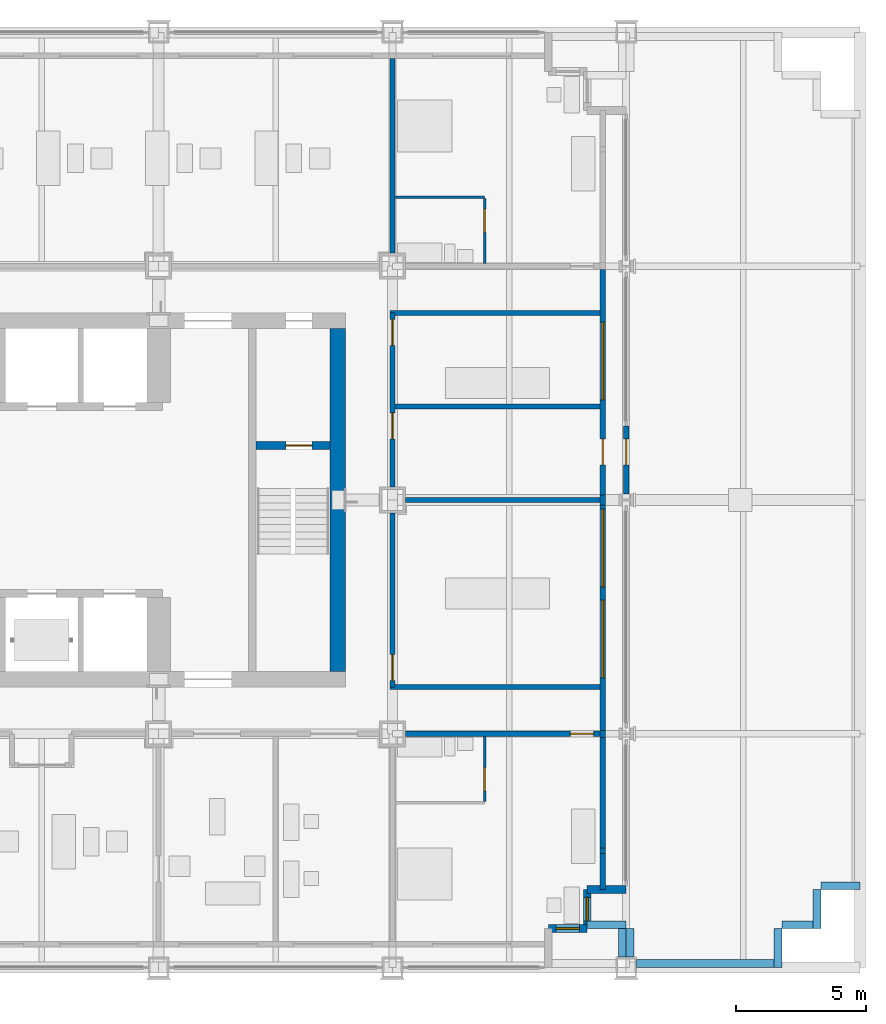
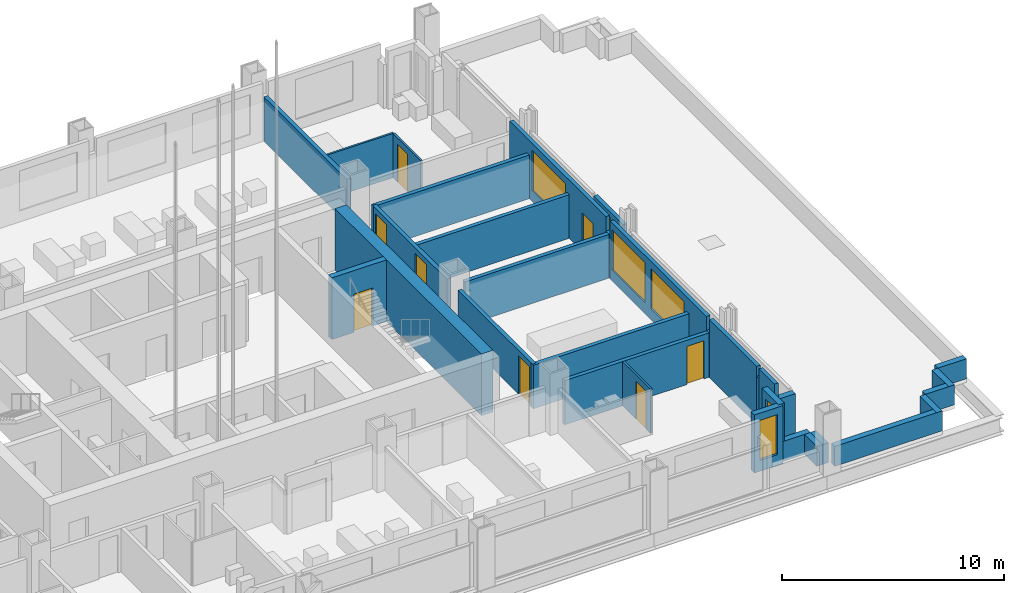
# One storey, part 13 of 19: 32 walls, 9 doors, 5 windows, 14 openings.
"""IFC4 building model written with IfcOpenShell, lengths in metres."""

import ifcopenshell
import ifcopenshell.guid

model = None  # the IFC model being written
_history = None  # IfcOwnerHistory: only IFC2X3 demands one
_inside = {}  # id of a spatial element -> (the spatial element, [elements in it])
_under = {}  # id of a project, library or spatial element -> (it, [spatial elements below it])
_declared = {}  # id of a project -> (the project, [libraries it declares])
_typed = {}  # id of a type object -> (the type object, [elements of that type])
_made_of = {}  # id of a material, layer set ... -> (it, [elements and type objects made of it])


def new_model(schema):
    """Start an empty IFC model of exactly this schema.

    Asked for "IFC4X3", IfcOpenShell would pick the latest addendum, in which some entities
    have other attributes; the version numbers below select the first issue.
    IFC2X3 requires an IfcOwnerHistory on every rooted entity: one is made here for all.
    """
    global model, _history
    if schema == "IFC4X3":
        model = ifcopenshell.file(schema_version=(4, 3, 0, 0))
    else:
        model = ifcopenshell.file(schema=schema)
    _inside.clear()
    _under.clear()
    _declared.clear()
    _typed.clear()
    _made_of.clear()
    _history = None
    if model.schema == "IFC2X3":
        org = make("IfcOrganization", Name="unknown")
        user = make(
            "IfcPersonAndOrganization",
            ThePerson=make("IfcPerson", FamilyName="unknown"),
            TheOrganization=org,
        )
        app = make(
            "IfcApplication",
            ApplicationDeveloper=org,
            Version="unknown",
            ApplicationFullName="unknown",
            ApplicationIdentifier="unknown",
        )
        _history = make(
            "IfcOwnerHistory",
            OwningUser=user,
            OwningApplication=app,
            ChangeAction="ADDED",
            CreationDate=0,
        )
    return model


def make(cls, **values):
    """One entity of the class cls with the attributes given. An attribute that is None is left unset."""
    return model.create_entity(
        cls, **{name: value for name, value in values.items() if value is not None}
    )


def rooted(cls, **values):
    """An entity with a GlobalId (a new one), such as an element, a storey or a relation."""
    return make(cls, GlobalId=ifcopenshell.guid.new(), OwnerHistory=_history, **values)


def si_unit(unit_type, name, prefix=None):
    """IfcSIUnit, for example si_unit("LENGTHUNIT", "METRE", prefix="MILLI")."""
    return make("IfcSIUnit", UnitType=unit_type, Prefix=prefix, Name=name)


def assignment(units):
    """IfcUnitAssignment: the units of a project."""
    return None if units is None else make("IfcUnitAssignment", Units=units)


def point(xyz):
    """IfcCartesianPoint."""
    return None if xyz is None else make("IfcCartesianPoint", Coordinates=xyz)


def direction(xyz):
    """IfcDirection."""
    return None if xyz is None else make("IfcDirection", DirectionRatios=xyz)


def frame(location, z_axis=None, x_axis=None):
    """IfcAxis2Placement3D, a coordinate frame: its origin and axes. An axis left out is left unset."""
    return make(
        "IfcAxis2Placement3D",
        Location=point(location),
        Axis=direction(z_axis),
        RefDirection=direction(x_axis),
    )


def frame_2d(location, x_axis=None):
    """IfcAxis2Placement2D, a coordinate frame in the plane: its origin and x axis."""
    return make(
        "IfcAxis2Placement2D", Location=point(location), RefDirection=direction(x_axis)
    )


def origin():
    """The frame at (0, 0, 0) with its axes left unset."""
    return frame((0.0, 0.0, 0.0))


def place(relative_to, where):
    """IfcLocalPlacement: puts the frame where relative to a parent placement (None: the world)."""
    return make(
        "IfcLocalPlacement", PlacementRelTo=relative_to, RelativePlacement=where
    )


def context(
    kind, dimensions, precision=None, world=None, true_north=None, identifier=None
):
    """IfcGeometricRepresentationContext, for example the 3D "Model" context."""
    return make(
        "IfcGeometricRepresentationContext",
        ContextIdentifier=identifier,
        ContextType=kind,
        CoordinateSpaceDimension=dimensions,
        Precision=precision,
        WorldCoordinateSystem=world,
        TrueNorth=true_north,
    )


def subcontext(parent, identifier, kind, view, scale=None):
    """IfcGeometricRepresentationSubContext, for example "Body" below "Model"."""
    return make(
        "IfcGeometricRepresentationSubContext",
        ContextIdentifier=identifier,
        ContextType=kind,
        ParentContext=parent,
        TargetScale=scale,
        TargetView=view,
    )


def project(units=None, contexts=None):
    """IfcProject with its units and contexts."""
    return rooted(
        "IfcProject",
        Name="project",
        RepresentationContexts=contexts,
        UnitsInContext=assignment(units),
    )


def spatial(cls, under=None, at=None, **own):
    """A site, building, storey or space (cls), placed at a placement, below another one or the project."""
    s = rooted(cls, ObjectPlacement=at, **own)
    if under is not None:
        _under.setdefault(under.id(), (under, []))[1].append(s)
    return s


def profile(cls, at=None, kind="AREA", **sizes):
    """A parametric profile (cls). Its sizes go by their IFC names, for example OverallWidth=200.0."""
    return make(cls, ProfileType=kind, Position=at, **sizes)


def rectangle(**sizes):
    """IfcRectangleProfileDef."""
    return profile("IfcRectangleProfileDef", **sizes)


def extrude(swept, where, along, depth):
    """IfcExtrudedAreaSolid: the profile swept, set in the frame where, extruded along a direction by depth."""
    return make(
        "IfcExtrudedAreaSolid",
        SweptArea=swept,
        Position=where,
        ExtrudedDirection=direction(along),
        Depth=depth,
    )


def shape(context_of_items, identifier, shape_type, items):
    """IfcShapeRepresentation: the items that make up one representation, for example the "Body"."""
    return make(
        "IfcShapeRepresentation",
        ContextOfItems=context_of_items,
        RepresentationIdentifier=identifier,
        RepresentationType=shape_type,
        Items=items,
    )


def material(Name=None, Category=None):
    """IfcMaterial."""
    return make("IfcMaterial", Name=Name, Category=Category)


def layer(
    of_material, thickness, ventilated=None, Name=None, Category=None, Priority=None
):
    """IfcMaterialLayer: one layer of a wall or slab, of a material (None: an air gap)."""
    return make(
        "IfcMaterialLayer",
        Material=of_material,
        LayerThickness=thickness,
        IsVentilated=ventilated,
        Name=Name,
        Category=Category,
        Priority=Priority,
    )


def layer_set(layers, Name=None):
    """IfcMaterialLayerSet."""
    return make("IfcMaterialLayerSet", MaterialLayers=layers, LayerSetName=Name)


def made_of(thing, what):
    """Note that an element or type object is made of a material, layer set ...; save() writes the relation."""
    if what is not None:
        _made_of.setdefault(what.id(), (what, []))[1].append(thing)
    return thing


def type_object(cls, material=None, **own):
    """A type object (cls), such as IfcWallType, which elements share."""
    return made_of(rooted(cls, **own), material)


def element(
    cls,
    number,
    at=None,
    inside=None,
    cuts=None,
    type_object=None,
    material=None,
    context=None,
    identifier="Body",
    shape_type=None,
    held_by="IfcProductDefinitionShape",
    body=None,
    shapes=None,
    **own,
):
    """One element of the class cls, such as IfcWall. Its Tag is "e" and its number.

    at: its placement. inside: the storey or other place that contains it. cuts: it is an
    opening in that element (IfcRelVoidsElement). A single representation is given by context,
    identifier, shape_type and body (its items); several are given by shapes. held_by: the class
    of the entity that holds the representations. save() writes the other relations.
    """
    e = rooted(cls, Tag="e%d" % number, ObjectPlacement=at, **own)
    if body is not None:
        shapes = [shape(context, identifier, shape_type, body)]
    if shapes is not None:
        e.Representation = make(held_by, Representations=shapes)
    if inside is not None:
        _inside.setdefault(inside.id(), (inside, []))[1].append(e)
    if cuts is not None:
        rooted(
            "IfcRelVoidsElement", RelatingBuildingElement=cuts, RelatedOpeningElement=e
        )
    if type_object is not None:
        _typed.setdefault(type_object.id(), (type_object, []))[1].append(e)
    return made_of(e, material)


def fill(opening, filler):
    """IfcRelFillsElement: the door or window that sits in an opening."""
    return rooted(
        "IfcRelFillsElement",
        RelatingOpeningElement=opening,
        RelatedBuildingElement=filler,
    )


def aggregate(whole, parts):
    """IfcRelAggregates: a whole, such as a stair, and the parts it consists of."""
    return rooted("IfcRelAggregates", RelatingObject=whole, RelatedObjects=parts)


def save(model, path):
    """Write the relations noted so far, then the file.

    IfcRelAggregates (storeys below a building ...), IfcRelContainedInSpatialStructure (elements
    in a storey), IfcRelDefinesByType, IfcRelAssociatesMaterial and IfcRelDeclares: one each for
    every whole, place, type object, material and project.
    """
    for whole, parts in _under.values():
        aggregate(whole, parts)
    for where, things in _inside.values():
        rooted(
            "IfcRelContainedInSpatialStructure",
            RelatedElements=things,
            RelatingStructure=where,
        )
    for kind, things in _typed.values():
        rooted("IfcRelDefinesByType", RelatedObjects=things, RelatingType=kind)
    for what, things in _made_of.values():
        rooted("IfcRelAssociatesMaterial", RelatedObjects=things, RelatingMaterial=what)
    for by, libraries in _declared.values():
        rooted("IfcRelDeclares", RelatingContext=by, RelatedDefinitions=libraries)
    model.write(path)


model = new_model("IFC4")

# Units and contexts
model_context = context("Model", 3, precision=1e-05, world=origin(), true_north=direction((0.0, 1.0)))
body_context = subcontext(model_context, "Body", "Model", "MODEL_VIEW")
ifc_project = project(units=[si_unit("LENGTHUNIT", "METRE"), si_unit("AREAUNIT", "SQUARE_METRE"), si_unit("VOLUMEUNIT", "CUBIC_METRE"), si_unit("PLANEANGLEUNIT", "RADIAN"), si_unit("MASSUNIT", "GRAM", prefix="KILO")], contexts=[model_context])

# Site, building, storey
site_placement = place(None, origin())
site = spatial("IfcSite", under=ifc_project, at=site_placement, CompositionType="ELEMENT")
building_placement = place(site_placement, origin())
building = spatial("IfcBuilding", under=site, at=building_placement, Name="Loomwork Tower", CompositionType="ELEMENT")
storey_placement = place(building_placement, frame((0.0, 0.0, 94.199951171875)))
storey = spatial("IfcBuildingStorey", under=building, at=storey_placement, Name="L24", CompositionType="ELEMENT", Elevation=94.199951171875)

# Wall, opening, door
ifc_material_1 = material(Name="Concrete 14000 psi (97 MPa)", Category="concrete")
ifc_layer_1 = layer(ifc_material_1, 0.300048828125)
ifc_layer_set_1 = layer_set([ifc_layer_1], Name="Core shear wall 300")
wall_type_1 = type_object("IfcWallType", Name="Core shear wall 300", PredefinedType="SHEAR", material=ifc_layer_set_1)
wall_1_placement = place(storey_placement, frame((30.75, 20.10009765625, 0.0), z_axis=(0.0, 0.0, 1.0), x_axis=(1.0, 0.0, 0.0)))
wall_1 = element("IfcWall", 1, at=wall_1_placement, inside=storey, type_object=wall_type_1, Name="Stair B north wall L24", PredefinedType="SHEAR", context=body_context, shape_type="SweptSolid", body=[
    extrude(rectangle(XDim=2.85009765625, YDim=0.300048828125, at=frame_2d((1.425048828125, 0.0))), origin(), (0.0, 0.0, 1.0), 3.400146484375),
])
opening_1_placement = place(wall_1_placement, frame((1.14990234375, 0.0, 0.0)))
opening_1 = element("IfcOpeningElement", 2, at=opening_1_placement, cuts=wall_1, Name="Opening D4", PredefinedType="OPENING", context=body_context, shape_type="SweptSolid", body=[
    extrude(rectangle(XDim=1.0, YDim=2.10009765625, at=frame_2d((0.5, 1.050048828125))), frame((0.0, 0.159912109375, 0.0), z_axis=(0.0, -1.0, 0.0), x_axis=(1.0, 0.0, 0.0)), (0.0, 0.0, 1.0), 0.320068359375),
])
ifc_material_2 = material(Name="Hollow metal door and frame")
door_type_1 = type_object("IfcDoorType", Name="Stair door 1000", OperationType="SINGLE_SWING_RIGHT", PredefinedType="DOOR", material=ifc_material_2)
door_1_placement = place(opening_1_placement, frame((1.0, 0.0, 0.0), z_axis=(0.0, 0.0, 1.0), x_axis=(-1.0, 0.0, 0.0)))
door_1 = element("IfcDoor", 3, at=door_1_placement, inside=storey, type_object=door_type_1, Name="Stair B door", OperationType="SINGLE_SWING_LEFT", OverallHeight=2.10009765625, OverallWidth=1.0, PredefinedType="DOOR", context=body_context, shape_type="SweptSolid", body=[
    extrude(rectangle(XDim=1.0, YDim=2.10009765625, at=frame_2d((0.5, 1.050048828125))), frame((0.0, 0.02490234375, 0.0), z_axis=(0.0, -1.0, 0.0), x_axis=(1.0, 0.0, 0.0)), (0.0, 0.0, 1.0), 0.050048828125),
])
fill(opening_1, door_1)

# Wall
ifc_material_3 = material(Name="Concrete 14000 psi (97 MPa)", Category="concrete")
ifc_layer_2 = layer(ifc_material_3, 0.60009765625)
ifc_layer_set_2 = layer_set([ifc_layer_2], Name="Core shear wall 600")
wall_type_2 = type_object("IfcWallType", Name="Core shear wall 600", PredefinedType="SHEAR", material=ifc_layer_set_2)
wall_2_placement = place(storey_placement, frame((33.89990234375, 11.39990234375, 0.0), z_axis=(0.0, 0.0, 1.0), x_axis=(0.0, 1.0, 0.0)))
element("IfcWall", 4, at=wall_2_placement, inside=storey, type_object=wall_type_2, Name="Core wall east L24", PredefinedType="SHEAR", context=body_context, shape_type="SweptSolid", body=[
    extrude(rectangle(XDim=13.2001953125, YDim=0.60009765625, at=frame_2d((6.60009765625, 0.0))), origin(), (0.0, 0.0, 1.0), 3.400146484375),
])

# Wall, opening, door
ifc_material_4 = material(Name="Gypsum board on steel studs, one-hour", Category="steel")
ifc_layer_3 = layer(ifc_material_4, 0.199951171875)
ifc_layer_set_3 = layer_set([ifc_layer_3], Name="Corridor wall 200")
wall_type_3 = type_object("IfcWallType", Name="Corridor wall 200", PredefinedType="PARTITIONING", material=ifc_layer_set_3)
wall_3_placement = place(storey_placement, frame((36.5, 9.0, 0.0), z_axis=(0.0, 0.0, 1.0), x_axis=(1.0, 0.0, 0.0)))
wall_3 = element("IfcWall", 5, at=wall_3_placement, inside=storey, type_object=wall_type_3, Name="South corridor wall 5", PredefinedType="PARTITIONING", context=body_context, shape_type="SweptSolid", body=[
    extrude(rectangle(XDim=7.5, YDim=0.199951171875, at=frame_2d((3.75, 0.0))), origin(), (0.0, 0.0, 1.0), 2.43798828125),
])
opening_2_placement = place(wall_3_placement, frame((6.35009765625, 0.0, 0.0)))
opening_2 = element("IfcOpeningElement", 6, at=opening_2_placement, cuts=wall_3, Name="Opening D1", PredefinedType="OPENING", context=body_context, shape_type="SweptSolid", body=[
    extrude(rectangle(XDim=0.89990234375, YDim=2.10009765625, at=frame_2d((0.449951171875, 1.050048828125))), frame((0.0, 0.10986328125, 0.0), z_axis=(0.0, -1.0, 0.0), x_axis=(1.0, 0.0, 0.0)), (0.0, 0.0, 1.0), 0.219970703125),
])
ifc_material_5 = material(Name="Hollow metal door and frame")
door_type_2 = type_object("IfcDoorType", Name="Guest room entry door 900", OperationType="SINGLE_SWING_LEFT", PredefinedType="DOOR", material=ifc_material_5)
door_2_placement = place(opening_2_placement, frame((0.89990234375, 0.0, 0.0), z_axis=(0.0, 0.0, 1.0), x_axis=(-1.0, 0.0, 0.0)))
door_2 = element("IfcDoor", 7, at=door_2_placement, inside=storey, type_object=door_type_2, Name="Guest room entry door L24 7", OperationType="SINGLE_SWING_LEFT", OverallHeight=2.10009765625, OverallWidth=0.89990234375, PredefinedType="DOOR", context=body_context, shape_type="SweptSolid", body=[
    extrude(rectangle(XDim=0.89990234375, YDim=2.10009765625, at=frame_2d((0.449951171875, 1.050048828125))), frame((0.0, 0.02490234375, 0.0), z_axis=(0.0, -1.0, 0.0), x_axis=(1.0, 0.0, 0.0)), (0.0, 0.0, 1.0), 0.050048828125),
])
fill(opening_2, door_2)

wall_4_placement = place(storey_placement, frame((36.0, 10.800048828125, 0.0), z_axis=(0.0, 0.0, 1.0), x_axis=(0.0, 1.0, 0.0)))
wall_4 = element("IfcWall", 8, at=wall_4_placement, inside=storey, type_object=wall_type_3, Name="East corridor wall 1", PredefinedType="PARTITIONING", context=body_context, shape_type="SweptSolid", body=[
    extrude(rectangle(XDim=6.699951171875, YDim=0.199951171875, at=frame_2d((3.35009765625, 0.0))), origin(), (0.0, 0.0, 1.0), 2.405029296875),
])
opening_3_placement = place(wall_4_placement, frame((0.25, 0.0, 0.0)))
opening_3 = element("IfcOpeningElement", 9, at=opening_3_placement, cuts=wall_4, Name="Opening D15", PredefinedType="OPENING", context=body_context, shape_type="SweptSolid", body=[
    extrude(rectangle(XDim=1.0, YDim=2.10009765625, at=frame_2d((0.5, 1.050048828125))), frame((0.0, 0.10986328125, 0.0), z_axis=(0.0, -1.0, 0.0), x_axis=(1.0, 0.0, 0.0)), (0.0, 0.0, 1.0), 0.219970703125),
])
ifc_material_6 = material(Name="Hollow metal door and frame")
door_type_3 = type_object("IfcDoorType", Name="Fire-rated room door 1000", OperationType="SINGLE_SWING_LEFT", PredefinedType="DOOR", material=ifc_material_6)
door_3_placement = place(opening_3_placement, frame((1.0, 0.0, 0.0), z_axis=(0.0, 0.0, 1.0), x_axis=(-1.0, 0.0, 0.0)))
door_3 = element("IfcDoor", 10, at=door_3_placement, inside=storey, type_object=door_type_3, Name="Meeting room door L24 13", OperationType="SINGLE_SWING_RIGHT", OverallHeight=2.10009765625, OverallWidth=1.0, PredefinedType="DOOR", context=body_context, shape_type="SweptSolid", body=[
    extrude(rectangle(XDim=1.0, YDim=2.10009765625, at=frame_2d((0.5, 1.050048828125))), frame((0.0, 0.02490234375, 0.0), z_axis=(0.0, -1.0, 0.0), x_axis=(1.0, 0.0, 0.0)), (0.0, 0.0, 1.0), 0.050048828125),
])
fill(opening_3, door_3)

# Wall, openings, doors
wall_5_placement = place(storey_placement, frame((36.0, 18.5, 0.0), z_axis=(0.0, 0.0, 1.0), x_axis=(0.0, 1.0, 0.0)))
wall_5 = element("IfcWall", 11, at=wall_5_placement, inside=storey, type_object=wall_type_3, Name="East corridor wall 2", PredefinedType="PARTITIONING", context=body_context, shape_type="SweptSolid", body=[
    extrude(rectangle(XDim=6.699951171875, YDim=0.199951171875, at=frame_2d((3.35009765625, 0.0))), origin(), (0.0, 0.0, 1.0), 2.405029296875),
])
opening_4_placement = place(wall_5_placement, frame((5.449951171875, 0.0, 0.0)))
opening_4 = element("IfcOpeningElement", 12, at=opening_4_placement, cuts=wall_5, Name="Opening D15", PredefinedType="OPENING", context=body_context, shape_type="SweptSolid", body=[
    extrude(rectangle(XDim=1.0, YDim=2.10009765625, at=frame_2d((0.5, 1.050048828125))), frame((0.0, 0.10986328125, 0.0), z_axis=(0.0, -1.0, 0.0), x_axis=(1.0, 0.0, 0.0)), (0.0, 0.0, 1.0), 0.219970703125),
])
opening_5_placement = place(wall_5_placement, frame((1.85009765625, 0.0, 0.0)))
opening_5 = element("IfcOpeningElement", 13, at=opening_5_placement, cuts=wall_5, Name="Opening D15", PredefinedType="OPENING", context=body_context, shape_type="SweptSolid", body=[
    extrude(rectangle(XDim=1.0, YDim=2.10009765625, at=frame_2d((0.5, 1.050048828125))), frame((0.0, 0.10986328125, 0.0), z_axis=(0.0, -1.0, 0.0), x_axis=(1.0, 0.0, 0.0)), (0.0, 0.0, 1.0), 0.219970703125),
])
door_4_placement = place(opening_4_placement, frame((1.0, 0.0, 0.0), z_axis=(0.0, 0.0, 1.0), x_axis=(-1.0, 0.0, 0.0)))
door_4 = element("IfcDoor", 14, at=door_4_placement, inside=storey, type_object=door_type_3, Name="Meeting room door L24 14", OperationType="SINGLE_SWING_LEFT", OverallHeight=2.10009765625, OverallWidth=1.0, PredefinedType="DOOR", context=body_context, shape_type="SweptSolid", body=[
    extrude(rectangle(XDim=1.0, YDim=2.10009765625, at=frame_2d((0.5, 1.050048828125))), frame((0.0, 0.02490234375, 0.0), z_axis=(0.0, -1.0, 0.0), x_axis=(1.0, 0.0, 0.0)), (0.0, 0.0, 1.0), 0.050048828125),
])
fill(opening_4, door_4)
door_5_placement = place(opening_5_placement, frame((1.0, 0.0, 0.0), z_axis=(0.0, 0.0, 1.0), x_axis=(-1.0, 0.0, 0.0)))
door_5 = element("IfcDoor", 15, at=door_5_placement, inside=storey, type_object=door_type_3, Name="Roof maintenance access door L24", OperationType="SINGLE_SWING_LEFT", OverallHeight=2.10009765625, OverallWidth=1.0, PredefinedType="DOOR", context=body_context, shape_type="SweptSolid", body=[
    extrude(rectangle(XDim=1.0, YDim=2.10009765625, at=frame_2d((0.5, 1.050048828125))), frame((0.0, 0.02490234375, 0.0), z_axis=(0.0, -1.0, 0.0), x_axis=(1.0, 0.0, 0.0)), (0.0, 0.0, 1.0), 0.050048828125),
])
fill(opening_5, door_5)

# Walls
for number, where, z_axis, x_axis, name in (
    (16, (35.89990234375, 10.800048828125, 0.0), (0.0, 0.0, 1.0), (1.0, 0.0, 0.0), "East band end wall S"),
    (17, (35.89990234375, 25.199951171875, 0.0), (0.0, 0.0, 1.0), (1.0, 0.0, 0.0), "East band end wall N"),
):
    element("IfcWall", number, at=place(storey_placement, frame(where, z_axis=z_axis, x_axis=x_axis)), inside=storey, type_object=wall_type_3, Name=name, PredefinedType="PARTITIONING", context=body_context, shape_type="SweptSolid", body=[
        extrude(rectangle(XDim=8.10009765625, YDim=0.199951171875, at=frame_2d((4.050048828125, 0.0))), origin(), (0.0, 0.0, 1.0), 2.404052734375),
    ])

# Wall, opening, door
ifc_material_7 = material(Name="Cement board on steel studs", Category="steel")
ifc_layer_4 = layer(ifc_material_7, 0.10009765625)
ifc_layer_set_4 = layer_set([ifc_layer_4], Name="En-suite partition 100")
wall_type_4 = type_object("IfcWallType", Name="En-suite partition 100", PredefinedType="PARTITIONING", material=ifc_layer_set_4)
wall_6_placement = place(storey_placement, frame((39.550048828125, 8.89990234375, 0.0), z_axis=(0.0, 0.0, 1.0), x_axis=(0.0, -1.0, 0.0)))
wall_6 = element("IfcWall", 18, at=wall_6_placement, inside=storey, type_object=wall_type_4, Name="En-suite side wall L24 room 7", PredefinedType="PARTITIONING", context=body_context, shape_type="SweptSolid", body=[
    extrude(rectangle(XDim=2.5, YDim=0.10009765625, at=frame_2d((1.25, 0.0))), origin(), (0.0, 0.0, 1.0), 2.43798828125),
])
opening_6_placement = place(wall_6_placement, frame((1.199951171875, 0.0, 0.0)))
opening_6 = element("IfcOpeningElement", 19, at=opening_6_placement, cuts=wall_6, Name="Opening D2", PredefinedType="OPENING", context=body_context, shape_type="SweptSolid", body=[
    extrude(rectangle(XDim=0.89990234375, YDim=2.10009765625, at=frame_2d((0.449951171875, 1.050048828125))), frame((0.0, 0.06005859375, 0.0), z_axis=(0.0, -1.0, 0.0), x_axis=(1.0, 0.0, 0.0)), (0.0, 0.0, 1.0), 0.1201171875),
])
ifc_material_8 = material(Name="Hollow metal door and frame")
door_type_4 = type_object("IfcDoorType", Name="En-suite door 900", OperationType="SINGLE_SWING_LEFT", PredefinedType="DOOR", material=ifc_material_8)
door_6_placement = place(opening_6_placement, frame((0.89990234375, 0.0, 0.0), z_axis=(0.0, 0.0, 1.0), x_axis=(-1.0, 0.0, 0.0)))
door_6 = element("IfcDoor", 20, at=door_6_placement, inside=storey, type_object=door_type_4, Name="En-suite door room 7", OperationType="SINGLE_SWING_LEFT", OverallHeight=2.10009765625, OverallWidth=0.89990234375, PredefinedType="DOOR", context=body_context, shape_type="SweptSolid", body=[
    extrude(rectangle(XDim=0.89990234375, YDim=2.10009765625, at=frame_2d((0.449951171875, 1.050048828125))), frame((0.0, 0.02490234375, 0.0), z_axis=(0.0, -1.0, 0.0), x_axis=(1.0, 0.0, 0.0)), (0.0, 0.0, 1.0), 0.050048828125),
])
fill(opening_6, door_6)

# Wall
wall_7_placement = place(storey_placement, frame((36.10009765625, 29.64990234375, 0.0), z_axis=(0.0, 0.0, 1.0), x_axis=(1.0, 0.0, 0.0)))
element("IfcWall", 21, at=wall_7_placement, inside=storey, type_object=wall_type_4, Name="En-suite wall L24 room 10", PredefinedType="PARTITIONING", context=body_context, shape_type="SweptSolid", body=[
    extrude(rectangle(XDim=3.449951171875, YDim=0.10009765625, at=frame_2d((1.72509765625, 0.0))), origin(), (0.0, 0.0, 1.0), 2.43798828125),
])

# Wall, opening, door
wall_8_placement = place(storey_placement, frame((39.550048828125, 27.10009765625, 0.0), z_axis=(0.0, 0.0, 1.0), x_axis=(0.0, 1.0, 0.0)))
wall_8 = element("IfcWall", 22, at=wall_8_placement, inside=storey, type_object=wall_type_4, Name="En-suite side wall L24 room 10", PredefinedType="PARTITIONING", context=body_context, shape_type="SweptSolid", body=[
    extrude(rectangle(XDim=2.5, YDim=0.10009765625, at=frame_2d((1.25, 0.0))), origin(), (0.0, 0.0, 1.0), 2.43798828125),
])
opening_7_placement = place(wall_8_placement, frame((1.199951171875, 0.0, 0.0)))
opening_7 = element("IfcOpeningElement", 23, at=opening_7_placement, cuts=wall_8, Name="Opening D2", PredefinedType="OPENING", context=body_context, shape_type="SweptSolid", body=[
    extrude(rectangle(XDim=0.89990234375, YDim=2.10009765625, at=frame_2d((0.449951171875, 1.050048828125))), frame((0.0, 0.06005859375, 0.0), z_axis=(0.0, -1.0, 0.0), x_axis=(1.0, 0.0, 0.0)), (0.0, 0.0, 1.0), 0.1201171875),
])
door_7_placement = place(opening_7_placement, origin())
door_7 = element("IfcDoor", 24, at=door_7_placement, inside=storey, type_object=door_type_4, Name="En-suite door room 10", OperationType="SINGLE_SWING_RIGHT", OverallHeight=2.10009765625, OverallWidth=0.89990234375, PredefinedType="DOOR", context=body_context, shape_type="SweptSolid", body=[
    extrude(rectangle(XDim=0.89990234375, YDim=2.10009765625, at=frame_2d((0.449951171875, 1.050048828125))), frame((0.0, 0.02490234375, 0.0), z_axis=(0.0, -1.0, 0.0), x_axis=(1.0, 0.0, 0.0)), (0.0, 0.0, 1.0), 0.050048828125),
])
fill(opening_7, door_7)

# Walls
ifc_material_9 = material(Name="Gypsum board on steel studs, acoustic", Category="steel")
ifc_layer_5 = layer(ifc_material_9, 0.199951171875)
ifc_layer_set_5 = layer_set([ifc_layer_5], Name="Guest room party wall 200")
wall_type_5 = type_object("IfcWallType", Name="Guest room party wall 200", PredefinedType="PARTITIONING", material=ifc_layer_set_5)
wall_9_placement = place(storey_placement, frame((36.0, 27.5, 0.0), z_axis=(0.0, 0.0, 1.0), x_axis=(0.0, 1.0, 0.0)))
element("IfcWall", 25, at=wall_9_placement, inside=storey, type_object=wall_type_5, Name="Guest room party wall N 36", PredefinedType="PARTITIONING", context=body_context, shape_type="SweptSolid", body=[
    extrude(rectangle(XDim=7.5, YDim=0.199951171875, at=frame_2d((3.75, 0.0))), origin(), (0.0, 0.0, 1.0), 2.43798828125),
])
wall_10_placement = place(storey_placement, frame((36.5, 18.0, 0.0), z_axis=(0.0, 0.0, 1.0), x_axis=(1.0, 0.0, 0.0)))
element("IfcWall", 26, at=wall_10_placement, inside=storey, type_object=wall_type_5, Name="Guest room party wall E 18", PredefinedType="PARTITIONING", context=body_context, shape_type="SweptSolid", body=[
    extrude(rectangle(XDim=7.5, YDim=0.199951171875, at=frame_2d((3.75, 0.0))), origin(), (0.0, 0.0, 1.0), 2.405029296875),
])
wall_11_placement = place(storey_placement, frame((36.10009765625, 21.60009765625, 0.0), z_axis=(0.0, 0.0, 1.0), x_axis=(1.0, 0.0, 0.0)))
element("IfcWall", 27, at=wall_11_placement, inside=storey, type_object=wall_type_5, Name="Roof maintenance access wall", PredefinedType="PARTITIONING", context=body_context, shape_type="SweptSolid", body=[
    extrude(rectangle(XDim=7.89990234375, YDim=0.199951171875, at=frame_2d((3.949951171875, 0.0))), origin(), (0.0, 0.0, 1.0), 2.404052734375),
])
ifc_material_10 = material(Name="Insulated steel stud wall with gypsum lining", Category="steel")
ifc_layer_6 = layer(ifc_material_10, 0.199951171875)
ifc_layer_set_6 = layer_set([ifc_layer_6], Name="Inner skin wall 200")
wall_type_6 = type_object("IfcWallType", Name="Inner skin wall 200", PredefinedType="SOLIDWALL", material=ifc_layer_set_6)
wall_12_placement = place(storey_placement, frame((44.10009765625, 3.0, 0.0), z_axis=(0.0, 0.0, 1.0), x_axis=(0.0, 1.0, 0.0)))
element("IfcWall", 28, at=wall_12_placement, inside=storey, type_object=wall_type_6, Name="Inner skin wall E", PredefinedType="SOLIDWALL", context=body_context, shape_type="SweptSolid", body=[
    extrude(rectangle(XDim=1.392578125, YDim=0.199951171875, at=frame_2d((0.6962890625, 0.0))), origin(), (0.0, 0.0, 1.0), 3.199951171875),
])
wall_13_placement = place(storey_placement, frame((44.10009765625, 4.392578125, 0.0), z_axis=(0.0, 0.0, 1.0), x_axis=(0.0, 1.0, 0.0)))
element("IfcWall", 29, at=wall_13_placement, inside=storey, type_object=wall_type_6, Name="Inner skin wall E bay 2", PredefinedType="SOLIDWALL", context=body_context, shape_type="SweptSolid", body=[
    extrude(rectangle(XDim=0.21484375, YDim=0.199951171875, at=frame_2d((0.107421875, 0.0))), origin(), (0.0, 0.0, 1.0), 2.6611328125),
])
wall_14_placement = place(storey_placement, frame((44.10009765625, 4.607421875, 0.0), z_axis=(0.0, 0.0, 1.0), x_axis=(0.0, 1.0, 0.0)))
element("IfcWall", 30, at=wall_14_placement, inside=storey, type_object=wall_type_6, Name="Inner skin wall E bay 3", PredefinedType="SOLIDWALL", context=body_context, shape_type="SweptSolid", body=[
    extrude(rectangle(XDim=4.25732421875, YDim=0.199951171875, at=frame_2d((2.128662109375, 0.0))), origin(), (0.0, 0.0, 1.0), 3.199951171875),
])
wall_15_placement = place(storey_placement, frame((44.10009765625, 8.86474609375, 0.0), z_axis=(0.0, 0.0, 1.0), x_axis=(0.0, 1.0, 0.0)))
element("IfcWall", 31, at=wall_15_placement, inside=storey, type_object=wall_type_6, Name="Inner skin wall E bay 4", PredefinedType="SOLIDWALL", context=body_context, shape_type="SweptSolid", body=[
    extrude(rectangle(XDim=0.2705078125, YDim=0.199951171875, at=frame_2d((0.13525390625, 0.0))), origin(), (0.0, 0.0, 1.0), 2.43798828125),
])

# Wall, openings, windows
wall_16_placement = place(storey_placement, frame((44.10009765625, 9.13525390625, 0.0), z_axis=(0.0, 0.0, 1.0), x_axis=(0.0, 1.0, 0.0)))
wall_16 = element("IfcWall", 32, at=wall_16_placement, inside=storey, type_object=wall_type_6, Name="Inner skin wall E bay 5", PredefinedType="SOLIDWALL", context=body_context, shape_type="SweptSolid", body=[
    extrude(rectangle(XDim=8.6708984375, YDim=0.199951171875, at=frame_2d((4.33544921875, 0.0))), origin(), (0.0, 0.0, 1.0), 3.199951171875),
])
opening_8_placement = place(wall_16_placement, frame((2.0146484375, 0.0, 0.60009765625)))
opening_8 = element("IfcOpeningElement", 33, at=opening_8_placement, cuts=wall_16, Name="Opening CH1", PredefinedType="OPENING", context=body_context, shape_type="SweptSolid", body=[
    extrude(rectangle(XDim=3.0, YDim=2.199951171875, at=frame_2d((1.5, 1.10009765625))), frame((0.0, 0.10986328125, 0.0), z_axis=(0.0, -1.0, 0.0), x_axis=(1.0, 0.0, 0.0)), (0.0, 0.0, 1.0), 0.219970703125),
])
opening_9_placement = place(wall_16_placement, frame((5.5146484375, 0.0, 0.60009765625)))
opening_9 = element("IfcOpeningElement", 34, at=opening_9_placement, cuts=wall_16, Name="Opening CH1", PredefinedType="OPENING", context=body_context, shape_type="SweptSolid", body=[
    extrude(rectangle(XDim=3.0, YDim=2.199951171875, at=frame_2d((1.5, 1.10009765625))), frame((0.0, 0.10986328125, 0.0), z_axis=(0.0, -1.0, 0.0), x_axis=(1.0, 0.0, 0.0)), (0.0, 0.0, 1.0), 0.219970703125),
])
ifc_material_11 = material(Name="Aluminium frame with clear insulated glass", Category="aluminium")
window_type_1 = type_object("IfcWindowType", Name="Chicago window 3000", PartitioningType="TRIPLE_PANEL_VERTICAL", PredefinedType="WINDOW", material=ifc_material_11)
window_1_placement = place(opening_8_placement, origin())
window_1 = element("IfcWindow", 35, at=window_1_placement, inside=storey, type_object=window_type_1, Name="Chicago window L24 bay 13", OverallHeight=2.199951171875, OverallWidth=3.0, PartitioningType="TRIPLE_PANEL_VERTICAL", PredefinedType="WINDOW", context=body_context, shape_type="SweptSolid", body=[
    extrude(rectangle(XDim=3.0, YDim=2.199951171875, at=frame_2d((1.5, 1.10009765625))), frame((0.0, 0.030029296875, 0.0), z_axis=(0.0, -1.0, 0.0), x_axis=(1.0, 0.0, 0.0)), (0.0, 0.0, 1.0), 0.06005859375),
])
fill(opening_8, window_1)
window_2_placement = place(opening_9_placement, origin())
window_2 = element("IfcWindow", 36, at=window_2_placement, inside=storey, type_object=window_type_1, Name="Chicago window L24 bay 13", OverallHeight=2.199951171875, OverallWidth=3.0, PartitioningType="TRIPLE_PANEL_VERTICAL", PredefinedType="WINDOW", context=body_context, shape_type="SweptSolid", body=[
    extrude(rectangle(XDim=3.0, YDim=2.199951171875, at=frame_2d((1.5, 1.10009765625))), frame((0.0, 0.030029296875, 0.0), z_axis=(0.0, -1.0, 0.0), x_axis=(1.0, 0.0, 0.0)), (0.0, 0.0, 1.0), 0.06005859375),
])
fill(opening_9, window_2)

# Wall
wall_17_placement = place(storey_placement, frame((44.10009765625, 17.80615234375, 0.0), z_axis=(0.0, 0.0, 1.0), x_axis=(0.0, 1.0, 0.0)))
element("IfcWall", 37, at=wall_17_placement, inside=storey, type_object=wall_type_6, Name="Inner skin wall E bay 6", PredefinedType="SOLIDWALL", context=body_context, shape_type="SweptSolid", body=[
    extrude(rectangle(XDim=0.3876953125, YDim=0.199951171875, at=frame_2d((0.19384765625, 0.0))), origin(), (0.0, 0.0, 1.0), 2.404052734375),
])

# Wall, openings, window, door
wall_18_placement = place(storey_placement, frame((44.10009765625, 18.19384765625, 0.0), z_axis=(0.0, 0.0, 1.0), x_axis=(0.0, 1.0, 0.0)))
wall_18 = element("IfcWall", 38, at=wall_18_placement, inside=storey, type_object=wall_type_6, Name="Inner skin wall E bay 7", PredefinedType="SOLIDWALL", context=body_context, shape_type="SweptSolid", body=[
    extrude(rectangle(XDim=8.6708984375, YDim=0.199951171875, at=frame_2d((4.33544921875, 0.0))), origin(), (0.0, 0.0, 1.0), 3.199951171875),
])
opening_10_placement = place(wall_18_placement, frame((3.65625, 0.0, 0.60009765625)))
opening_10 = element("IfcOpeningElement", 39, at=opening_10_placement, cuts=wall_18, Name="Opening CH1", PredefinedType="OPENING", context=body_context, shape_type="SweptSolid", body=[
    extrude(rectangle(XDim=3.0, YDim=2.199951171875, at=frame_2d((1.5, 1.10009765625))), frame((0.0, 0.10986328125, 0.0), z_axis=(0.0, -1.0, 0.0), x_axis=(1.0, 0.0, 0.0)), (0.0, 0.0, 1.0), 0.219970703125),
])
opening_11_placement = place(wall_18_placement, frame((1.15625, 0.0, 0.0)))
opening_11 = element("IfcOpeningElement", 40, at=opening_11_placement, cuts=wall_18, Name="Opening D19", PredefinedType="OPENING", context=body_context, shape_type="SweptSolid", body=[
    extrude(rectangle(XDim=1.0, YDim=2.10009765625, at=frame_2d((0.5, 1.050048828125))), frame((0.0, 0.10986328125, 0.0), z_axis=(0.0, -1.0, 0.0), x_axis=(1.0, 0.0, 0.0)), (0.0, 0.0, 1.0), 0.219970703125),
])
window_3_placement = place(opening_10_placement, origin())
window_3 = element("IfcWindow", 41, at=window_3_placement, inside=storey, type_object=window_type_1, Name="Chicago window L24 bay 14", OverallHeight=2.199951171875, OverallWidth=3.0, PartitioningType="TRIPLE_PANEL_VERTICAL", PredefinedType="WINDOW", context=body_context, shape_type="SweptSolid", body=[
    extrude(rectangle(XDim=3.0, YDim=2.199951171875, at=frame_2d((1.5, 1.10009765625))), frame((0.0, 0.030029296875, 0.0), z_axis=(0.0, -1.0, 0.0), x_axis=(1.0, 0.0, 0.0)), (0.0, 0.0, 1.0), 0.06005859375),
])
fill(opening_10, window_3)
ifc_material_12 = material(Name="Hollow metal door and frame")
door_type_5 = type_object("IfcDoorType", Name="Roof access door 1000", OperationType="SINGLE_SWING_RIGHT", PredefinedType="DOOR", material=ifc_material_12)
door_8_placement = place(opening_11_placement, frame((1.0, 0.0, 0.0), z_axis=(0.0, 0.0, 1.0), x_axis=(-1.0, 0.0, 0.0)))
door_8 = element("IfcDoor", 42, at=door_8_placement, inside=storey, type_object=door_type_5, Name="Roof access door L24", OperationType="SINGLE_SWING_LEFT", OverallHeight=2.10009765625, OverallWidth=1.0, PredefinedType="DOOR", context=body_context, shape_type="SweptSolid", body=[
    extrude(rectangle(XDim=1.0, YDim=2.10009765625, at=frame_2d((0.5, 1.050048828125))), frame((0.0, 0.02490234375, 0.0), z_axis=(0.0, -1.0, 0.0), x_axis=(1.0, 0.0, 0.0)), (0.0, 0.0, 1.0), 0.050048828125),
])
fill(opening_11, door_8)

# Wall, opening, window
ifc_material_13 = material(Name="Limestone on concrete masonry", Category="masonry")
ifc_layer_7 = layer(ifc_material_13, 0.300048828125)
ifc_layer_set_7 = layer_set([ifc_layer_7], Name="Limestone corner wall 300")
wall_type_7 = type_object("IfcWallType", Name="Limestone corner wall 300", PredefinedType="SOLIDWALL", material=ifc_layer_set_7)
wall_19_placement = place(storey_placement, frame((42.0, 1.5, 0.0), z_axis=(0.0, 0.0, 1.0), x_axis=(1.0, 0.0, 0.0)))
wall_19 = element("IfcWall", 43, at=wall_19_placement, inside=storey, type_object=wall_type_7, Name="Stone corner wall SE 2", PredefinedType="SOLIDWALL", context=body_context, shape_type="SweptSolid", body=[
    extrude(rectangle(XDim=1.5, YDim=0.300048828125, at=frame_2d((0.75, 0.0))), origin(), (0.0, 0.0, 1.0), 3.199951171875),
])
opening_12_placement = place(wall_19_placement, frame((0.300048828125, 0.0, 0.60009765625)))
opening_12 = element("IfcOpeningElement", 44, at=opening_12_placement, cuts=wall_19, Name="Opening CH2", PredefinedType="OPENING", context=body_context, shape_type="SweptSolid", body=[
    extrude(rectangle(XDim=0.89990234375, YDim=2.199951171875, at=frame_2d((0.449951171875, 1.10009765625))), frame((0.0, 0.159912109375, 0.0), z_axis=(0.0, -1.0, 0.0), x_axis=(1.0, 0.0, 0.0)), (0.0, 0.0, 1.0), 0.320068359375),
])
ifc_material_14 = material(Name="Aluminium frame with clear insulated glass", Category="aluminium")
window_type_2 = type_object("IfcWindowType", Name="Corner window 900", PartitioningType="SINGLE_PANEL", PredefinedType="WINDOW", material=ifc_material_14)
window_4_placement = place(opening_12_placement, origin())
window_4 = element("IfcWindow", 45, at=window_4_placement, inside=storey, type_object=window_type_2, Name="Corner window SE", OverallHeight=2.199951171875, OverallWidth=0.89990234375, PartitioningType="SINGLE_PANEL", PredefinedType="WINDOW", context=body_context, shape_type="SweptSolid", body=[
    extrude(rectangle(XDim=0.89990234375, YDim=2.199951171875, at=frame_2d((0.449951171875, 1.10009765625))), frame((0.0, 0.030029296875, 0.0), z_axis=(0.0, -1.0, 0.0), x_axis=(1.0, 0.0, 0.0)), (0.0, 0.0, 1.0), 0.06005859375),
])
fill(opening_12, window_4)

wall_20_placement = place(storey_placement, frame((43.5, 1.5, 0.0), z_axis=(0.0, 0.0, 1.0), x_axis=(0.0, 1.0, 0.0)))
wall_20 = element("IfcWall", 46, at=wall_20_placement, inside=storey, type_object=wall_type_7, Name="Stone corner wall SE 3", PredefinedType="SOLIDWALL", context=body_context, shape_type="SweptSolid", body=[
    extrude(rectangle(XDim=1.5, YDim=0.300048828125, at=frame_2d((0.75, 0.0))), origin(), (0.0, 0.0, 1.0), 3.199951171875),
])
opening_13_placement = place(wall_20_placement, frame((0.300048828125, 0.0, 0.60009765625)))
opening_13 = element("IfcOpeningElement", 47, at=opening_13_placement, cuts=wall_20, Name="Opening CH2", PredefinedType="OPENING", context=body_context, shape_type="SweptSolid", body=[
    extrude(rectangle(XDim=0.89990234375, YDim=2.199951171875, at=frame_2d((0.449951171875, 1.10009765625))), frame((0.0, 0.159912109375, 0.0), z_axis=(0.0, -1.0, 0.0), x_axis=(1.0, 0.0, 0.0)), (0.0, 0.0, 1.0), 0.320068359375),
])
window_5_placement = place(opening_13_placement, origin())
window_5 = element("IfcWindow", 48, at=window_5_placement, inside=storey, type_object=window_type_2, Name="Corner window SE", OverallHeight=2.199951171875, OverallWidth=0.89990234375, PartitioningType="SINGLE_PANEL", PredefinedType="WINDOW", context=body_context, shape_type="SweptSolid", body=[
    extrude(rectangle(XDim=0.89990234375, YDim=2.199951171875, at=frame_2d((0.449951171875, 1.10009765625))), frame((0.0, 0.030029296875, 0.0), z_axis=(0.0, -1.0, 0.0), x_axis=(1.0, 0.0, 0.0)), (0.0, 0.0, 1.0), 0.06005859375),
])
fill(opening_13, window_5)

# Wall
wall_21_placement = place(storey_placement, frame((43.5, 3.0, 0.0), z_axis=(0.0, 0.0, 1.0), x_axis=(1.0, 0.0, 0.0)))
element("IfcWall", 49, at=wall_21_placement, inside=storey, type_object=wall_type_7, Name="Stone corner wall SE 4", PredefinedType="SOLIDWALL", context=body_context, shape_type="SweptSolid", body=[
    extrude(rectangle(XDim=1.5, YDim=0.300048828125, at=frame_2d((0.75, 0.0))), origin(), (0.0, 0.0, 1.0), 2.420166015625),
])

# Wall, opening, door
ifc_material_15 = material(Name="Insulated aluminium composite panel on steel frame", Category="steel")
ifc_layer_8 = layer(ifc_material_15, 0.199951171875)
ifc_layer_set_8 = layer_set([ifc_layer_8], Name="Outer skin door panel 200")
wall_type_8 = type_object("IfcWallType", Name="Outer skin door panel 200", PredefinedType="SOLIDWALL", material=ifc_layer_set_8)
wall_22_placement = place(storey_placement, frame((45.0, 20.85009765625, 0.0), z_axis=(0.0, 0.0, 1.0), x_axis=(0.0, -1.0, 0.0)))
wall_22 = element("IfcWall", 50, at=wall_22_placement, inside=storey, type_object=wall_type_8, Name="Outer skin door panel L24", PredefinedType="SOLIDWALL", context=body_context, shape_type="SweptSolid", body=[
    extrude(rectangle(XDim=2.625244140625, YDim=0.199951171875, at=frame_2d((1.3125, 0.0))), origin(), (0.0, 0.0, 1.0), 2.420166015625),
])
opening_14_placement = place(wall_22_placement, frame((0.5, 0.0, 0.0)))
opening_14 = element("IfcOpeningElement", 51, at=opening_14_placement, cuts=wall_22, Name="Opening D12", PredefinedType="OPENING", context=body_context, shape_type="SweptSolid", body=[
    extrude(rectangle(XDim=1.0, YDim=2.10009765625, at=frame_2d((0.5, 1.050048828125))), frame((0.0, 0.10986328125, 0.0), z_axis=(0.0, -1.0, 0.0), x_axis=(1.0, 0.0, 0.0)), (0.0, 0.0, 1.0), 0.219970703125),
])
ifc_material_16 = material(Name="Hollow metal door and frame")
door_type_6 = type_object("IfcDoorType", Name="External service door 1000", OperationType="SINGLE_SWING_RIGHT", PredefinedType="DOOR", material=ifc_material_16)
door_9_placement = place(opening_14_placement, origin())
door_9 = element("IfcDoor", 52, at=door_9_placement, inside=storey, type_object=door_type_6, Name="Roof access door L24 roof side", OperationType="SINGLE_SWING_LEFT", OverallHeight=2.10009765625, OverallWidth=1.0, PredefinedType="DOOR", context=body_context, shape_type="SweptSolid", body=[
    extrude(rectangle(XDim=1.0, YDim=2.10009765625, at=frame_2d((0.5, 1.050048828125))), frame((0.0, 0.02490234375, 0.0), z_axis=(0.0, -1.0, 0.0), x_axis=(1.0, 0.0, 0.0)), (0.0, 0.0, 1.0), 0.050048828125),
])
fill(opening_14, door_9)

# Walls
ifc_material_17 = material(Name="Limestone on concrete masonry", Category="masonry")
ifc_layer_9 = layer(ifc_material_17, 0.300048828125)
ifc_layer_set_9 = layer_set([ifc_layer_9], Name="Parapet wall 300")
wall_type_9 = type_object("IfcWallType", Name="Parapet wall 300", PredefinedType="PARAPET", material=ifc_layer_set_9)
wall_23_placement = place(storey_placement, frame((44.85009765625, 1.5, 0.0), z_axis=(0.0, 0.0, 1.0), x_axis=(0.0, -1.0, 0.0)))
element("IfcWall", 53, at=wall_23_placement, inside=storey, type_object=wall_type_9, Name="Parapet L24 2", PredefinedType="PARAPET", context=body_context, shape_type="SweptSolid", body=[
    extrude(rectangle(XDim=1.10009765625, YDim=0.300048828125, at=frame_2d((0.550048828125, 0.0))), origin(), (0.0, 0.0, 1.0), 1.10009765625),
])
for number, where, z_axis, x_axis, name in (
    (54, (54.0, 3.14990234375, 0.0), (0.0, 0.0, 1.0), (-1.0, 0.0, 0.0), "Parapet L24 9"),
    (55, (52.35009765625, 3.0, 0.0), (0.0, 0.0, 1.0), (0.0, -1.0, 0.0), "Parapet L24 10"),
    (56, (52.5, 1.64990234375, 0.0), (0.0, 0.0, 1.0), (-1.0, 0.0, 0.0), "Parapet L24 11"),
    (57, (50.85009765625, 1.5, 0.0), (0.0, 0.0, 1.0), (0.0, -1.0, 0.0), "Parapet L24 12"),
):
    element("IfcWall", number, at=place(storey_placement, frame(where, z_axis=z_axis, x_axis=x_axis)), inside=storey, type_object=wall_type_9, Name=name, PredefinedType="PARAPET", context=body_context, shape_type="SweptSolid", body=[
        extrude(rectangle(XDim=1.5, YDim=0.300048828125, at=frame_2d((0.75, 0.0))), origin(), (0.0, 0.0, 1.0), 1.10009765625),
    ])
wall_24_placement = place(storey_placement, frame((51.0, 0.14990234375, 0.0), z_axis=(0.0, 0.0, 1.0), x_axis=(-1.0, 0.0, 0.0)))
element("IfcWall", 58, at=wall_24_placement, inside=storey, type_object=wall_type_9, Name="Parapet L24 13", PredefinedType="PARAPET", context=body_context, shape_type="SweptSolid", body=[
    extrude(rectangle(XDim=5.60009765625, YDim=0.300048828125, at=frame_2d((2.800048828125, 0.0))), origin(), (0.0, 0.0, 1.0), 1.10009765625),
])
wall_25_placement = place(storey_placement, frame((45.14990234375, 0.39990234375, 0.0), z_axis=(0.0, 0.0, 1.0), x_axis=(0.0, 1.0, 0.0)))
element("IfcWall", 59, at=wall_25_placement, inside=storey, type_object=wall_type_9, Name="Parapet L24 14", PredefinedType="PARAPET", context=body_context, shape_type="SweptSolid", body=[
    extrude(rectangle(XDim=1.10009765625, YDim=0.300048828125, at=frame_2d((0.550048828125, 0.0))), origin(), (0.0, 0.0, 1.0), 1.10009765625),
])
wall_26_placement = place(storey_placement, frame((45.0, 1.64990234375, 0.0), z_axis=(0.0, 0.0, 1.0), x_axis=(-1.0, 0.0, 0.0)))
element("IfcWall", 60, at=wall_26_placement, inside=storey, type_object=wall_type_9, Name="Parapet L24 15", PredefinedType="PARAPET", context=body_context, shape_type="SweptSolid", body=[
    extrude(rectangle(XDim=1.5, YDim=0.300048828125, at=frame_2d((0.75, 0.0))), origin(), (0.0, 0.0, 1.0), 1.10009765625),
])

save(model, "model.ifc")
